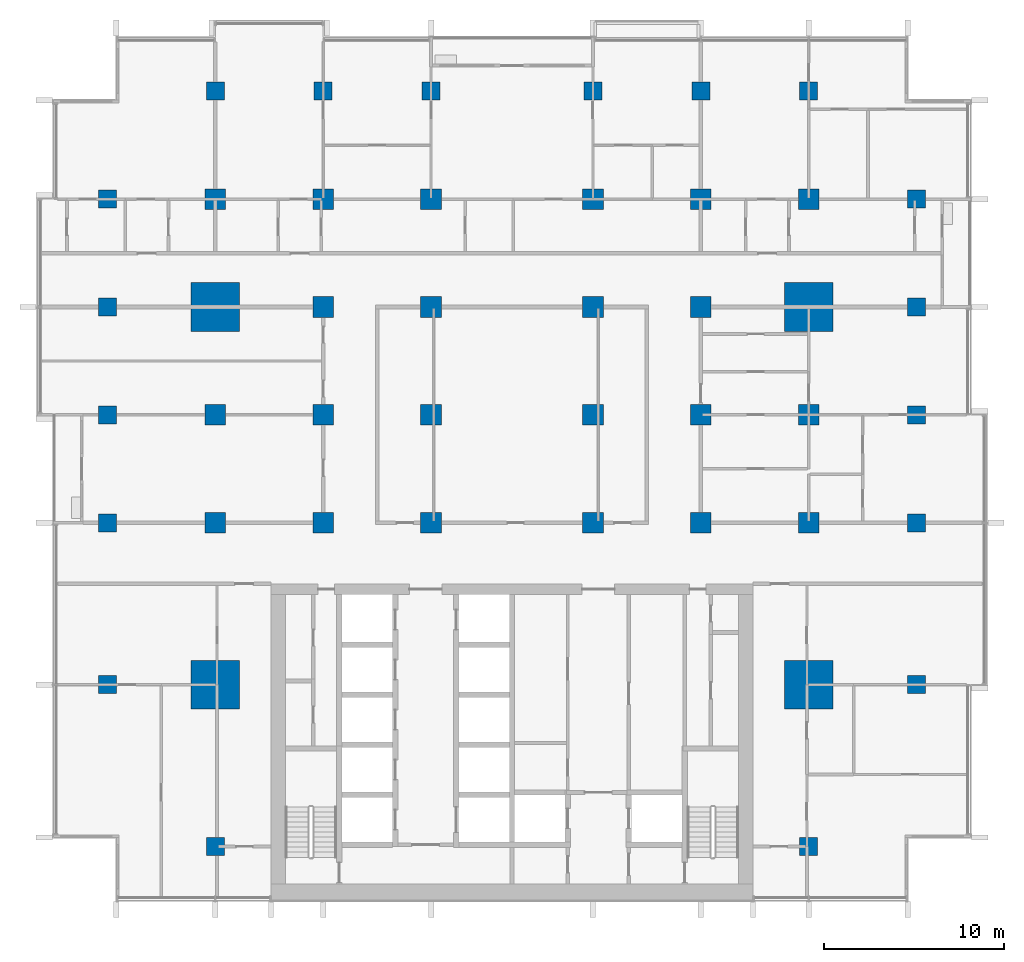
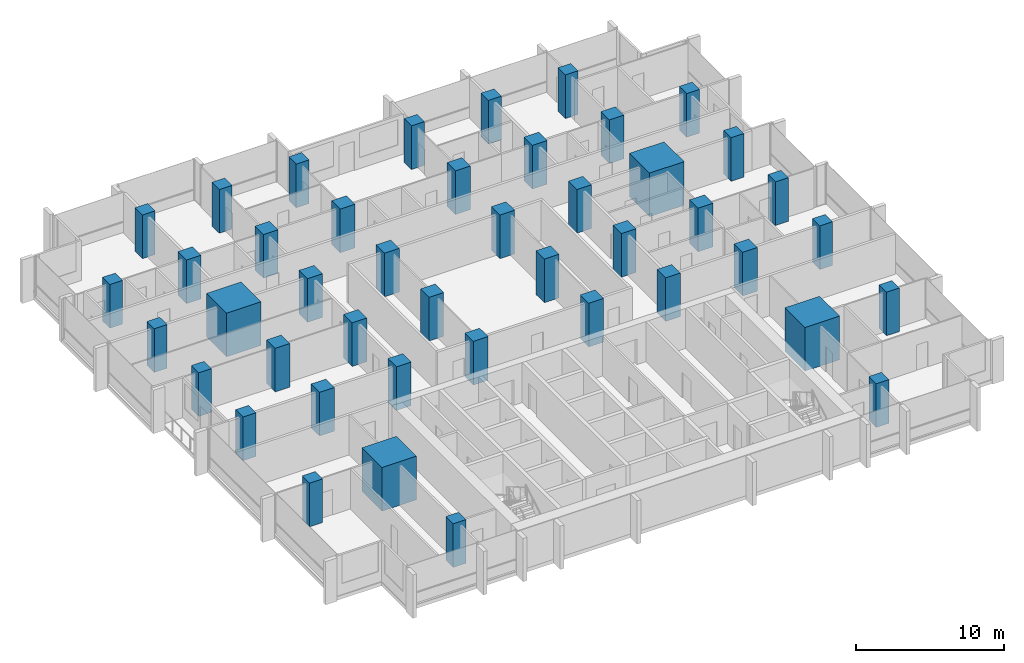
# One storey, part 1 of 17: 44 columns.
"""IFC4 building model written with IfcOpenShell, lengths in metres."""

import ifcopenshell
import ifcopenshell.guid

model = None  # the IFC model being written
_history = None  # IfcOwnerHistory: only IFC2X3 demands one
_inside = {}  # id of a spatial element -> (the spatial element, [elements in it])
_under = {}  # id of a project, library or spatial element -> (it, [spatial elements below it])
_declared = {}  # id of a project -> (the project, [libraries it declares])
_typed = {}  # id of a type object -> (the type object, [elements of that type])
_made_of = {}  # id of a material, layer set ... -> (it, [elements and type objects made of it])


def new_model(schema):
    """Start an empty IFC model of exactly this schema.

    Asked for "IFC4X3", IfcOpenShell would pick the latest addendum, in which some entities
    have other attributes; the version numbers below select the first issue.
    IFC2X3 requires an IfcOwnerHistory on every rooted entity: one is made here for all.
    """
    global model, _history
    if schema == "IFC4X3":
        model = ifcopenshell.file(schema_version=(4, 3, 0, 0))
    else:
        model = ifcopenshell.file(schema=schema)
    _inside.clear()
    _under.clear()
    _declared.clear()
    _typed.clear()
    _made_of.clear()
    _history = None
    if model.schema == "IFC2X3":
        org = make("IfcOrganization", Name="unknown")
        user = make(
            "IfcPersonAndOrganization",
            ThePerson=make("IfcPerson", FamilyName="unknown"),
            TheOrganization=org,
        )
        app = make(
            "IfcApplication",
            ApplicationDeveloper=org,
            Version="unknown",
            ApplicationFullName="unknown",
            ApplicationIdentifier="unknown",
        )
        _history = make(
            "IfcOwnerHistory",
            OwningUser=user,
            OwningApplication=app,
            ChangeAction="ADDED",
            CreationDate=0,
        )
    return model


def make(cls, **values):
    """One entity of the class cls with the attributes given. An attribute that is None is left unset."""
    return model.create_entity(
        cls, **{name: value for name, value in values.items() if value is not None}
    )


def rooted(cls, **values):
    """An entity with a GlobalId (a new one), such as an element, a storey or a relation."""
    return make(cls, GlobalId=ifcopenshell.guid.new(), OwnerHistory=_history, **values)


def si_unit(unit_type, name, prefix=None):
    """IfcSIUnit, for example si_unit("LENGTHUNIT", "METRE", prefix="MILLI")."""
    return make("IfcSIUnit", UnitType=unit_type, Prefix=prefix, Name=name)


def assignment(units):
    """IfcUnitAssignment: the units of a project."""
    return None if units is None else make("IfcUnitAssignment", Units=units)


def point(xyz):
    """IfcCartesianPoint."""
    return None if xyz is None else make("IfcCartesianPoint", Coordinates=xyz)


def direction(xyz):
    """IfcDirection."""
    return None if xyz is None else make("IfcDirection", DirectionRatios=xyz)


def frame(location, z_axis=None, x_axis=None):
    """IfcAxis2Placement3D, a coordinate frame: its origin and axes. An axis left out is left unset."""
    return make(
        "IfcAxis2Placement3D",
        Location=point(location),
        Axis=direction(z_axis),
        RefDirection=direction(x_axis),
    )


def frame_2d(location, x_axis=None):
    """IfcAxis2Placement2D, a coordinate frame in the plane: its origin and x axis."""
    return make(
        "IfcAxis2Placement2D", Location=point(location), RefDirection=direction(x_axis)
    )


def origin():
    """The frame at (0, 0, 0) with its axes left unset."""
    return frame((0.0, 0.0, 0.0))


def origin_2d():
    """The frame at (0, 0) in the plane with its x axis left unset."""
    return frame_2d((0.0, 0.0))


def place(relative_to, where):
    """IfcLocalPlacement: puts the frame where relative to a parent placement (None: the world)."""
    return make(
        "IfcLocalPlacement", PlacementRelTo=relative_to, RelativePlacement=where
    )


def context(
    kind, dimensions, precision=None, world=None, true_north=None, identifier=None
):
    """IfcGeometricRepresentationContext, for example the 3D "Model" context."""
    return make(
        "IfcGeometricRepresentationContext",
        ContextIdentifier=identifier,
        ContextType=kind,
        CoordinateSpaceDimension=dimensions,
        Precision=precision,
        WorldCoordinateSystem=world,
        TrueNorth=true_north,
    )


def subcontext(parent, identifier, kind, view, scale=None):
    """IfcGeometricRepresentationSubContext, for example "Body" below "Model"."""
    return make(
        "IfcGeometricRepresentationSubContext",
        ContextIdentifier=identifier,
        ContextType=kind,
        ParentContext=parent,
        TargetScale=scale,
        TargetView=view,
    )


def project(units=None, contexts=None):
    """IfcProject with its units and contexts."""
    return rooted(
        "IfcProject",
        Name="project",
        RepresentationContexts=contexts,
        UnitsInContext=assignment(units),
    )


def spatial(cls, under=None, at=None, **own):
    """A site, building, storey or space (cls), placed at a placement, below another one or the project."""
    s = rooted(cls, ObjectPlacement=at, **own)
    if under is not None:
        _under.setdefault(under.id(), (under, []))[1].append(s)
    return s


def profile(cls, at=None, kind="AREA", **sizes):
    """A parametric profile (cls). Its sizes go by their IFC names, for example OverallWidth=200.0."""
    return make(cls, ProfileType=kind, Position=at, **sizes)


def rectangle(**sizes):
    """IfcRectangleProfileDef."""
    return profile("IfcRectangleProfileDef", **sizes)


def extrude(swept, where, along, depth):
    """IfcExtrudedAreaSolid: the profile swept, set in the frame where, extruded along a direction by depth."""
    return make(
        "IfcExtrudedAreaSolid",
        SweptArea=swept,
        Position=where,
        ExtrudedDirection=direction(along),
        Depth=depth,
    )


def shape(context_of_items, identifier, shape_type, items):
    """IfcShapeRepresentation: the items that make up one representation, for example the "Body"."""
    return make(
        "IfcShapeRepresentation",
        ContextOfItems=context_of_items,
        RepresentationIdentifier=identifier,
        RepresentationType=shape_type,
        Items=items,
    )


def material(Name=None, Category=None):
    """IfcMaterial."""
    return make("IfcMaterial", Name=Name, Category=Category)


def material_profile(
    of_material, cross_section, Name=None, Category=None, Priority=None
):
    """IfcMaterialProfile: a cross section and its material."""
    return make(
        "IfcMaterialProfile",
        Name=Name,
        Material=of_material,
        Profile=cross_section,
        Priority=Priority,
        Category=Category,
    )


def profile_set(profiles, Name=None, composite=None):
    """IfcMaterialProfileSet."""
    return make(
        "IfcMaterialProfileSet",
        Name=Name,
        MaterialProfiles=profiles,
        CompositeProfile=composite,
    )


def made_of(thing, what):
    """Note that an element or type object is made of a material, layer set ...; save() writes the relation."""
    if what is not None:
        _made_of.setdefault(what.id(), (what, []))[1].append(thing)
    return thing


def type_object(cls, material=None, **own):
    """A type object (cls), such as IfcWallType, which elements share."""
    return made_of(rooted(cls, **own), material)


def element(
    cls,
    number,
    at=None,
    inside=None,
    cuts=None,
    type_object=None,
    material=None,
    context=None,
    identifier="Body",
    shape_type=None,
    held_by="IfcProductDefinitionShape",
    body=None,
    shapes=None,
    **own,
):
    """One element of the class cls, such as IfcWall. Its Tag is "e" and its number.

    at: its placement. inside: the storey or other place that contains it. cuts: it is an
    opening in that element (IfcRelVoidsElement). A single representation is given by context,
    identifier, shape_type and body (its items); several are given by shapes. held_by: the class
    of the entity that holds the representations. save() writes the other relations.
    """
    e = rooted(cls, Tag="e%d" % number, ObjectPlacement=at, **own)
    if body is not None:
        shapes = [shape(context, identifier, shape_type, body)]
    if shapes is not None:
        e.Representation = make(held_by, Representations=shapes)
    if inside is not None:
        _inside.setdefault(inside.id(), (inside, []))[1].append(e)
    if cuts is not None:
        rooted(
            "IfcRelVoidsElement", RelatingBuildingElement=cuts, RelatedOpeningElement=e
        )
    if type_object is not None:
        _typed.setdefault(type_object.id(), (type_object, []))[1].append(e)
    return made_of(e, material)


def aggregate(whole, parts):
    """IfcRelAggregates: a whole, such as a stair, and the parts it consists of."""
    return rooted("IfcRelAggregates", RelatingObject=whole, RelatedObjects=parts)


def save(model, path):
    """Write the relations noted so far, then the file.

    IfcRelAggregates (storeys below a building ...), IfcRelContainedInSpatialStructure (elements
    in a storey), IfcRelDefinesByType, IfcRelAssociatesMaterial and IfcRelDeclares: one each for
    every whole, place, type object, material and project.
    """
    for whole, parts in _under.values():
        aggregate(whole, parts)
    for where, things in _inside.values():
        rooted(
            "IfcRelContainedInSpatialStructure",
            RelatedElements=things,
            RelatingStructure=where,
        )
    for kind, things in _typed.values():
        rooted("IfcRelDefinesByType", RelatedObjects=things, RelatingType=kind)
    for what, things in _made_of.values():
        rooted("IfcRelAssociatesMaterial", RelatedObjects=things, RelatingMaterial=what)
    for by, libraries in _declared.values():
        rooted("IfcRelDeclares", RelatingContext=by, RelatedDefinitions=libraries)
    model.write(path)


model = new_model("IFC4")

# Units and contexts
model_context = context("Model", 3, precision=1e-05, world=origin(), true_north=direction((0.0, 1.0)))
body_context = subcontext(model_context, "Body", "Model", "MODEL_VIEW")
ifc_project = project(units=[si_unit("LENGTHUNIT", "METRE"), si_unit("AREAUNIT", "SQUARE_METRE"), si_unit("VOLUMEUNIT", "CUBIC_METRE"), si_unit("PLANEANGLEUNIT", "RADIAN"), si_unit("MASSUNIT", "GRAM", prefix="KILO")], contexts=[model_context])

# Site, building, storey
site_placement = place(None, origin())
site = spatial("IfcSite", under=ifc_project, at=site_placement, CompositionType="ELEMENT")
building_placement = place(site_placement, origin())
building = spatial("IfcBuilding", under=site, at=building_placement, Name="Finial Court Residences", CompositionType="ELEMENT")
storey_placement = place(building_placement, frame((0.0, 0.0, 91.89990234375)))
storey = spatial("IfcBuildingStorey", under=building, at=storey_placement, Name="L22", CompositionType="ELEMENT", Elevation=91.89990234375)

# Columns
ifc_material = material(Name="Concrete C70/85", Category="concrete")
ifc_material_profile_1 = material_profile(ifc_material, rectangle(XDim=1.14990234375, YDim=1.14990234375, at=origin_2d()), Name="1150x1150")
ifc_profile_set_1 = profile_set([ifc_material_profile_1], Name="Concrete C70/85")
column_type_1 = type_object("IfcColumnType", Name="Interior column 1150x1150 Concrete C70/85", PredefinedType="COLUMN", material=ifc_profile_set_1)
for number, where, z_axis, x_axis, name in (
    (1, (-16.5, -4.5, 0.0), (0.0, 0.0, 1.0), (1.0, 0.0, 0.0), "S:COL:L22:C4"),
    (2, (-16.5, 1.5, 0.0), (0.0, 0.0, 1.0), (1.0, 0.0, 0.0), "S:COL:L22:C5"),
    (3, (-16.5, 13.5, 0.0), (0.0, 0.0, 1.0), (1.0, 0.0, 0.0), "S:COL:L22:C7"),
    (4, (-10.5, -4.5, 0.0), (0.0, 0.0, 1.0), (1.0, 0.0, 0.0), "S:COL:L22:D4"),
    (5, (-10.5, 1.5, 0.0), (0.0, 0.0, 1.0), (1.0, 0.0, 0.0), "S:COL:L22:D5"),
    (6, (-10.5, 7.5, 0.0), (0.0, 0.0, 1.0), (1.0, 0.0, 0.0), "S:COL:L22:D6"),
    (7, (-10.5, 13.5, 0.0), (0.0, 0.0, 1.0), (1.0, 0.0, 0.0), "S:COL:L22:D7"),
    (8, (-4.5, -4.5, 0.0), (0.0, 0.0, 1.0), (1.0, 0.0, 0.0), "S:COL:L22:E4"),
    (9, (-4.5, 1.5, 0.0), (0.0, 0.0, 1.0), (1.0, 0.0, 0.0), "S:COL:L22:E5"),
    (10, (-4.5, 7.5, 0.0), (0.0, 0.0, 1.0), (1.0, 0.0, 0.0), "S:COL:L22:E6"),
    (11, (-4.5, 13.5, 0.0), (0.0, 0.0, 1.0), (1.0, 0.0, 0.0), "S:COL:L22:E7"),
    (12, (4.5, -4.5, 0.0), (0.0, 0.0, 1.0), (1.0, 0.0, 0.0), "S:COL:L22:F4"),
    (13, (4.5, 1.5, 0.0), (0.0, 0.0, 1.0), (1.0, 0.0, 0.0), "S:COL:L22:F5"),
    (14, (4.5, 7.5, 0.0), (0.0, 0.0, 1.0), (1.0, 0.0, 0.0), "S:COL:L22:F6"),
    (15, (4.5, 13.5, 0.0), (0.0, 0.0, 1.0), (1.0, 0.0, 0.0), "S:COL:L22:F7"),
    (16, (10.5, -4.5, 0.0), (0.0, 0.0, 1.0), (1.0, 0.0, 0.0), "S:COL:L22:G4"),
    (17, (10.5, 1.5, 0.0), (0.0, 0.0, 1.0), (1.0, 0.0, 0.0), "S:COL:L22:G5"),
    (18, (10.5, 7.5, 0.0), (0.0, 0.0, 1.0), (1.0, 0.0, 0.0), "S:COL:L22:G6"),
    (19, (10.5, 13.5, 0.0), (0.0, 0.0, 1.0), (1.0, 0.0, 0.0), "S:COL:L22:G7"),
    (20, (16.5, -4.5, 0.0), (0.0, 0.0, 1.0), (1.0, 0.0, 0.0), "S:COL:L22:H4"),
    (21, (16.5, 1.5, 0.0), (0.0, 0.0, 1.0), (1.0, 0.0, 0.0), "S:COL:L22:H5"),
    (22, (16.5, 13.5, 0.0), (0.0, 0.0, 1.0), (1.0, 0.0, 0.0), "S:COL:L22:H7"),
):
    element("IfcColumn", number, at=place(storey_placement, frame(where, z_axis=z_axis, x_axis=x_axis)), inside=storey, type_object=column_type_1, Name=name, PredefinedType="COLUMN", context=body_context, shape_type="SweptSolid", body=[
        extrude(rectangle(XDim=1.14990234375, YDim=1.14990234375, at=origin_2d()), origin(), (0.0, 0.0, 1.0), 3.60009765625),
    ])
ifc_material_profile_2 = material_profile(ifc_material, rectangle(XDim=2.699951171875, YDim=2.699951171875, at=origin_2d()), Name="2700x2700")
ifc_profile_set_2 = profile_set([ifc_material_profile_2], Name="Concrete C70/85")
column_type_2 = type_object("IfcColumnType", Name="Mega column 2700x2700 Concrete C70/85", PredefinedType="COLUMN", material=ifc_profile_set_2)
for number, where, z_axis, x_axis, name in (
    (23, (-16.5, -13.5, 0.0), (0.0, 0.0, 1.0), (1.0, 0.0, 0.0), "S:COL:L22:C3"),
    (24, (-16.5, 7.5, 0.0), (0.0, 0.0, 1.0), (1.0, 0.0, 0.0), "S:COL:L22:C6"),
    (25, (16.5, -13.5, 0.0), (0.0, 0.0, 1.0), (1.0, 0.0, 0.0), "S:COL:L22:H3"),
    (26, (16.5, 7.5, 0.0), (0.0, 0.0, 1.0), (1.0, 0.0, 0.0), "S:COL:L22:H6"),
):
    element("IfcColumn", number, at=place(storey_placement, frame(where, z_axis=z_axis, x_axis=x_axis)), inside=storey, type_object=column_type_2, Name=name, PredefinedType="COLUMN", context=body_context, shape_type="SweptSolid", body=[
        extrude(rectangle(XDim=2.699951171875, YDim=2.699951171875, at=origin_2d()), origin(), (0.0, 0.0, 1.0), 3.60009765625),
    ])
ifc_material_profile_3 = material_profile(ifc_material, rectangle(XDim=1.0, YDim=1.0, at=origin_2d()), Name="1000x1000")
ifc_profile_set_3 = profile_set([ifc_material_profile_3], Name="Concrete C70/85")
column_type_3 = type_object("IfcColumnType", Name="Perimeter column 1000x1000 Concrete C70/85", PredefinedType="COLUMN", material=ifc_profile_set_3)
for number, where, z_axis, x_axis, name in (
    (27, (-22.5, -13.5, 0.0), (0.0, 0.0, 1.0), (1.0, 0.0, 0.0), "S:COL:L22:B3"),
    (28, (-22.5, -4.5, 0.0), (0.0, 0.0, 1.0), (1.0, 0.0, 0.0), "S:COL:L22:B4"),
    (29, (-22.5, 1.5, 0.0), (0.0, 0.0, 1.0), (1.0, 0.0, 0.0), "S:COL:L22:B5"),
    (30, (-22.5, 7.5, 0.0), (0.0, 0.0, 1.0), (1.0, 0.0, 0.0), "S:COL:L22:B6"),
    (31, (-22.5, 13.5, 0.0), (0.0, 0.0, 1.0), (1.0, 0.0, 0.0), "S:COL:L22:B7"),
    (32, (-16.5, -22.5, 0.0), (0.0, 0.0, 1.0), (1.0, 0.0, 0.0), "S:COL:L22:C2"),
    (33, (-16.5, 19.5, 0.0), (0.0, 0.0, 1.0), (1.0, 0.0, 0.0), "S:COL:L22:C8"),
    (34, (-10.5, 19.5, 0.0), (0.0, 0.0, 1.0), (1.0, 0.0, 0.0), "S:COL:L22:D8"),
    (35, (-4.5, 19.5, 0.0), (0.0, 0.0, 1.0), (1.0, 0.0, 0.0), "S:COL:L22:E8"),
    (36, (4.5, 19.5, 0.0), (0.0, 0.0, 1.0), (1.0, 0.0, 0.0), "S:COL:L22:F8"),
    (37, (10.5, 19.5, 0.0), (0.0, 0.0, 1.0), (1.0, 0.0, 0.0), "S:COL:L22:G8"),
    (38, (16.5, -22.5, 0.0), (0.0, 0.0, 1.0), (1.0, 0.0, 0.0), "S:COL:L22:H2"),
    (39, (16.5, 19.5, 0.0), (0.0, 0.0, 1.0), (1.0, 0.0, 0.0), "S:COL:L22:H8"),
    (40, (22.5, -13.5, 0.0), (0.0, 0.0, 1.0), (1.0, 0.0, 0.0), "S:COL:L22:I3"),
    (41, (22.5, -4.5, 0.0), (0.0, 0.0, 1.0), (1.0, 0.0, 0.0), "S:COL:L22:I4"),
    (42, (22.5, 1.5, 0.0), (0.0, 0.0, 1.0), (1.0, 0.0, 0.0), "S:COL:L22:I5"),
    (43, (22.5, 7.5, 0.0), (0.0, 0.0, 1.0), (1.0, 0.0, 0.0), "S:COL:L22:I6"),
    (44, (22.5, 13.5, 0.0), (0.0, 0.0, 1.0), (1.0, 0.0, 0.0), "S:COL:L22:I7"),
):
    element("IfcColumn", number, at=place(storey_placement, frame(where, z_axis=z_axis, x_axis=x_axis)), inside=storey, type_object=column_type_3, Name=name, PredefinedType="COLUMN", context=body_context, shape_type="SweptSolid", body=[
        extrude(rectangle(XDim=1.0, YDim=1.0, at=origin_2d()), origin(), (0.0, 0.0, 1.0), 3.60009765625),
    ])

save(model, "model.ifc")
